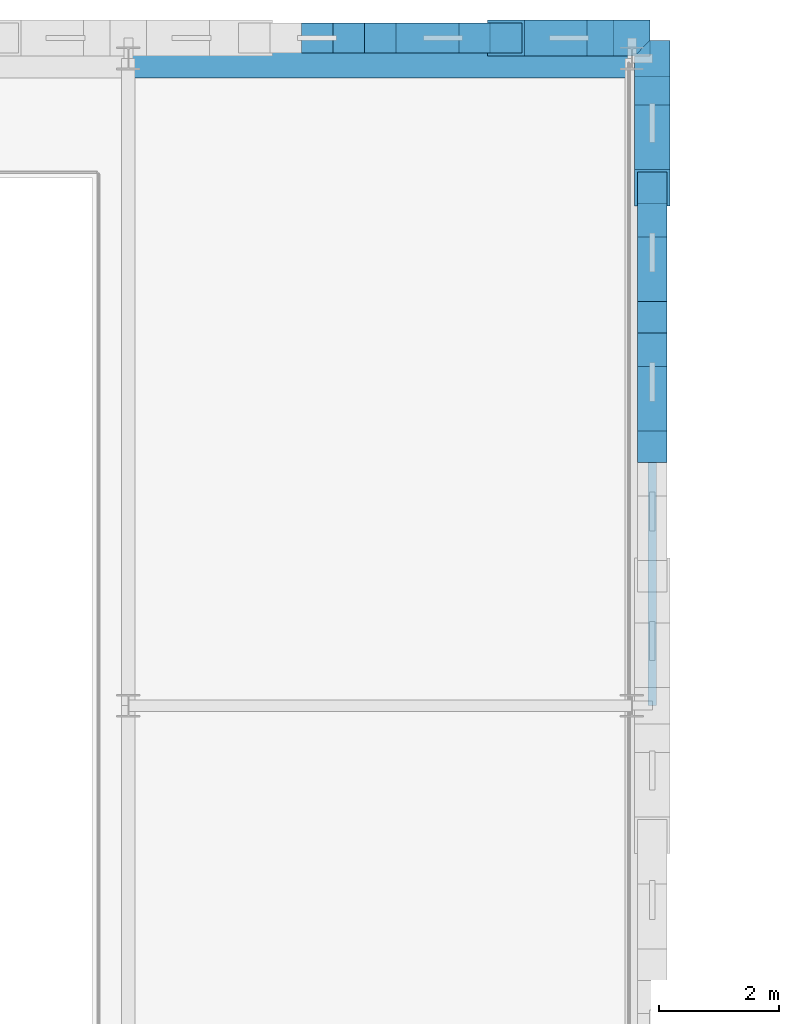
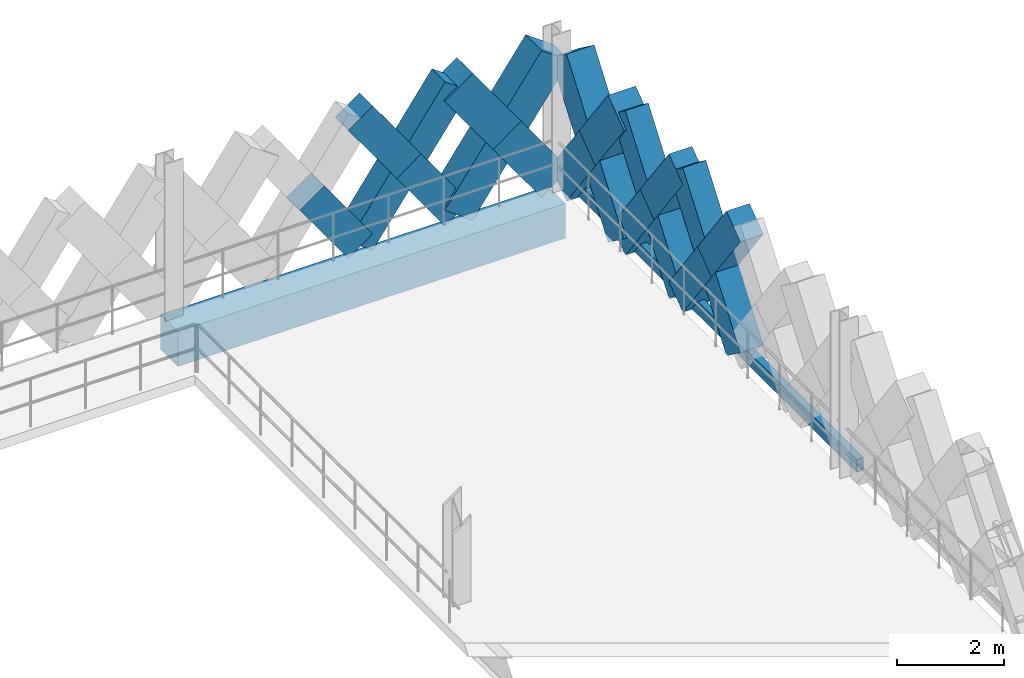
# One storey, part 34 of 79: 17 members, 1 beam.
"""IFC4 building model written with IfcOpenShell, lengths in metres."""

from ifc_helpers import new_model, si_unit, direction, frame, origin, origin_2d, place, context, subcontext, project, spatial, rectangle, hollow_rectangle, extrude, material, material_profile, profile_set, type_object, element, save


model = new_model("IFC4")

# Units and contexts
model_context = context("Model", 3, precision=1e-05, world=origin(), true_north=direction((0.0, 1.0)))
body_context = subcontext(model_context, "Body", "Model", "MODEL_VIEW")
ifc_project = project(units=[si_unit("LENGTHUNIT", "METRE"), si_unit("AREAUNIT", "SQUARE_METRE"), si_unit("VOLUMEUNIT", "CUBIC_METRE"), si_unit("PLANEANGLEUNIT", "RADIAN"), si_unit("MASSUNIT", "GRAM", prefix="KILO"), si_unit("THERMODYNAMICTEMPERATUREUNIT", "KELVIN"), si_unit("POWERUNIT", "WATT")], contexts=[model_context])

# Site, building, storey
site_placement = place(None, origin())
site = spatial("IfcSite", under=ifc_project, at=site_placement, CompositionType="ELEMENT")
building_placement = place(site_placement, origin())
building = spatial("IfcBuilding", under=site, at=building_placement, Name="Tembeka Court Mobility Hub", CompositionType="ELEMENT")
storey_placement = place(building_placement, frame((0.0, 0.0, 9.0)))
storey = spatial("IfcBuildingStorey", under=building, at=storey_placement, Name="L02", CompositionType="ELEMENT", Elevation=9.0)

# Beam
ifc_material_1 = material(Name="Precast concrete C45/55", Category="concrete")
ifc_material_profile_1 = material_profile(ifc_material_1, rectangle(XDim=0.64990234375, YDim=0.800048828125, at=origin_2d()), Name="PC-SP 650x800")
ifc_profile_set_1 = profile_set([ifc_material_profile_1], Name="Precast concrete C45/55")
beam_type = type_object("IfcBeamType", Name="BM-SP01", PredefinedType="SPANDREL", material=ifc_profile_set_1)
beam_placement = place(storey_placement, frame((84.0, 118.800048828125, -0.6201171875), z_axis=(1.0, 0.0, 0.0), x_axis=(0.0, 1.0, 0.0)))
element("IfcBeam", 1, at=beam_placement, inside=storey, type_object=beam_type, Name="Beam SP01 (BM-L02-X1306)", PredefinedType="SPANDREL", context=body_context, shape_type="SweptSolid", body=[
    extrude(rectangle(XDim=0.64990234375, YDim=0.800048828125, at=origin_2d()), origin(), (0.0, 0.0, 1.0), 8.39990234375),
])

# Members
ifc_material_profile_2 = material_profile(ifc_material_1, rectangle(XDim=0.5, YDim=0.64990234375, at=origin_2d()), Name="PC-DIAG 500x650")
ifc_profile_set_2 = profile_set([ifc_material_profile_2], Name="Precast concrete C45/55")
member_type_1 = type_object("IfcMemberType", Name="MEM-DL01", PredefinedType="BRACE", material=ifc_profile_set_2)
member_1_placement = place(storey_placement, frame((88.199951171875, 119.139892578125, 0.02001953125), z_axis=(-0.582544294934, 0.0, 0.812798956963), x_axis=(0.0, -1.0, 0.0)))
element("IfcMember", 2, at=member_1_placement, inside=storey, type_object=member_type_1, Name="Precast diamond lattice split lower strand DL01 (L02-274B1)", PredefinedType="BRACE", context=body_context, shape_type="SweptSolid", body=[
    extrude(rectangle(XDim=0.5, YDim=0.64990234375, at=origin_2d()), origin(), (0.0, 0.0, 1.0), 1.802490234375),
])
member_2_placement = place(storey_placement, frame((88.199951171875, 119.139892578125, 0.02001953125), z_axis=(0.582576362011, 0.0, 0.812775973086), x_axis=(0.0, 1.0, 0.0)))
element("IfcMember", 3, at=member_2_placement, inside=storey, type_object=member_type_1, Name="Precast diamond lattice continuous strand DL01 (L02-275A)", PredefinedType="BRACE", context=body_context, shape_type="SweptSolid", body=[
    extrude(rectangle(XDim=0.5, YDim=0.64990234375, at=origin_2d()), origin(), (0.0, 0.0, 1.0), 3.604736328125),
])
member_3_placement = place(storey_placement, frame((90.300048828125, 119.139892578125, 0.02001953125), z_axis=(-0.582544294934, 0.0, 0.812798956963), x_axis=(0.0, -1.0, 0.0)))
element("IfcMember", 4, at=member_3_placement, inside=storey, type_object=member_type_1, Name="Precast diamond lattice split lower strand DL01 (L02-275B1)", PredefinedType="BRACE", context=body_context, shape_type="SweptSolid", body=[
    extrude(rectangle(XDim=0.5, YDim=0.64990234375, at=origin_2d()), origin(), (0.0, 0.0, 1.0), 1.802490234375),
])
member_4_placement = place(storey_placement, frame((89.25, 119.139892578125, 1.485107421875), z_axis=(-0.582608431711, 0.0, 0.812752985414), x_axis=(0.0, -1.0, 0.0)))
element("IfcMember", 5, at=member_4_placement, inside=storey, type_object=member_type_1, Name="Precast diamond lattice split upper strand DL01 (L02-275B2)", PredefinedType="BRACE", context=body_context, shape_type="SweptSolid", body=[
    extrude(rectangle(XDim=0.5, YDim=0.64990234375, at=origin_2d()), origin(), (0.0, 0.0, 1.0), 1.80224609375),
])
member_5_placement = place(storey_placement, frame((92.739990234375, 112.320068359375, 0.02001953125), z_axis=(0.0, 0.593379766398, 0.804922637792), x_axis=(-1.0, 0.0, 0.0)))
element("IfcMember", 6, at=member_5_placement, inside=storey, type_object=member_type_1, Name="Precast diamond lattice continuous strand DL01 (L02-386C)", PredefinedType="BRACE", context=body_context, shape_type="SweptSolid", body=[
    extrude(rectangle(XDim=0.5, YDim=0.64990234375, at=origin_2d()), origin(), (0.0, 0.0, 1.0), 3.64013671875),
])
member_6_placement = place(storey_placement, frame((92.739990234375, 114.47998046875, 0.02001953125), z_axis=(0.0, -0.593391185876, 0.804914219358), x_axis=(1.0, 0.0, 0.0)))
element("IfcMember", 7, at=member_6_placement, inside=storey, type_object=member_type_1, Name="Precast diamond lattice split lower strand DL01 (L02-386D1)", PredefinedType="BRACE", context=body_context, shape_type="SweptSolid", body=[
    extrude(rectangle(XDim=0.5, YDim=0.64990234375, at=origin_2d()), origin(), (0.0, 0.0, 1.0), 1.820068359375),
])
member_7_placement = place(storey_placement, frame((92.739990234375, 113.39990234375, 1.485107421875), z_axis=(0.0, -0.593368344659, 0.804931057642), x_axis=(1.0, 0.0, 0.0)))
element("IfcMember", 8, at=member_7_placement, inside=storey, type_object=member_type_1, Name="Precast diamond lattice split upper strand DL01 (L02-386D2)", PredefinedType="BRACE", context=body_context, shape_type="SweptSolid", body=[
    extrude(rectangle(XDim=0.5, YDim=0.64990234375, at=origin_2d()), origin(), (0.0, 0.0, 1.0), 1.81982421875),
])
member_8_placement = place(storey_placement, frame((92.739990234375, 114.47998046875, 0.02001953125), z_axis=(0.0, 0.593379766398, 0.804922637792), x_axis=(-1.0, 0.0, 0.0)))
element("IfcMember", 9, at=member_8_placement, inside=storey, type_object=member_type_1, Name="Precast diamond lattice continuous strand DL01 (L02-387C)", PredefinedType="BRACE", context=body_context, shape_type="SweptSolid", body=[
    extrude(rectangle(XDim=0.5, YDim=0.64990234375, at=origin_2d()), origin(), (0.0, 0.0, 1.0), 3.64013671875),
])
for number, where, z_axis, x_axis, name in (
    (10, (92.739990234375, 116.639892578125, 0.02001953125), (0.0, -0.593304274421, 0.804978284151), (1.0, 0.0, 0.0), "Precast diamond lattice split lower strand DL01 (L02-387D1)"),
    (11, (92.739990234375, 115.56005859375, 1.485107421875), (0.0, -0.593455255298, 0.804866982773), (1.0, 0.0, 0.0), "Precast diamond lattice split upper strand DL01 (L02-387D2)"),
):
    element("IfcMember", number, at=place(storey_placement, frame(where, z_axis=z_axis, x_axis=x_axis)), inside=storey, type_object=member_type_1, Name=name, PredefinedType="BRACE", context=body_context, shape_type="SweptSolid", body=[
        extrude(rectangle(XDim=0.5, YDim=0.64990234375, at=origin_2d()), origin(), (0.0, 0.0, 1.0), 1.820068359375),
    ])
ifc_material_profile_3 = material_profile(ifc_material_1, rectangle(XDim=0.60009765625, YDim=0.75, at=origin_2d()), Name="PC-DIAG 600x750")
ifc_profile_set_3 = profile_set([ifc_material_profile_3], Name="Precast concrete C45/55")
member_type_2 = type_object("IfcMemberType", Name="MEM-DL02", PredefinedType="BRACE", material=ifc_profile_set_3)
member_9_placement = place(storey_placement, frame((90.300048828125, 119.139892578125, 0.02001953125), z_axis=(0.58253161945, 0.0, 0.812808041509), x_axis=(0.0, 1.0, 0.0)))
element("IfcMember", 12, at=member_9_placement, inside=storey, type_object=member_type_2, Name="Precast diamond lattice continuous strand DL02 (L02-276A)", PredefinedType="BRACE", context=body_context, shape_type="SweptSolid", body=[
    extrude(rectangle(XDim=0.60009765625, YDim=0.75, at=origin_2d()), origin(), (0.0, 0.0, 1.0), 3.604736328125),
])
member_10_placement = place(storey_placement, frame((92.39990234375, 119.139892578125, 0.02001953125), z_axis=(-0.582454804382, 0.0, 0.812863088627), x_axis=(0.0, -1.0, 0.0)))
element("IfcMember", 13, at=member_10_placement, inside=storey, type_object=member_type_2, Name="Precast diamond lattice split lower strand DL02 (L02-276B1)", PredefinedType="BRACE", context=body_context, shape_type="SweptSolid", body=[
    extrude(rectangle(XDim=0.60009765625, YDim=0.75, at=origin_2d()), origin(), (0.0, 0.0, 1.0), 1.802490234375),
])
member_11_placement = place(storey_placement, frame((91.35009765625, 119.139892578125, 1.485107421875), z_axis=(-0.582608431711, 0.0, 0.812752985414), x_axis=(0.0, -1.0, 0.0)))
element("IfcMember", 14, at=member_11_placement, inside=storey, type_object=member_type_2, Name="Precast diamond lattice split upper strand DL02 (L02-276B2)", PredefinedType="BRACE", context=body_context, shape_type="SweptSolid", body=[
    extrude(rectangle(XDim=0.60009765625, YDim=0.75, at=origin_2d()), origin(), (0.0, 0.0, 1.0), 1.80224609375),
])
member_12_placement = place(storey_placement, frame((92.739990234375, 116.639892578125, 0.02001953125), z_axis=(0.0, 0.593423219328, 0.804890602978), x_axis=(-1.0, 0.0, 0.0)))
element("IfcMember", 15, at=member_12_placement, inside=storey, type_object=member_type_2, Name="Precast diamond lattice continuous strand DL02 (L02-388C)", PredefinedType="BRACE", context=body_context, shape_type="SweptSolid", body=[
    extrude(rectangle(XDim=0.60009765625, YDim=0.75, at=origin_2d()), origin(), (0.0, 0.0, 1.0), 3.64013671875),
])
for number, where, z_axis, x_axis, name in (
    (16, (92.739990234375, 118.800048828125, 0.02001953125), (0.0, -0.593391185876, 0.804914219358), (1.0, 0.0, 0.0), "Precast diamond lattice split lower strand DL02 (L02-388D1)"),
    (17, (92.739990234375, 117.719970703125, 1.485107421875), (0.0, -0.593455255298, 0.804866982773), (1.0, 0.0, 0.0), "Precast diamond lattice split upper strand DL02 (L02-388D2)"),
):
    element("IfcMember", number, at=place(storey_placement, frame(where, z_axis=z_axis, x_axis=x_axis)), inside=storey, type_object=member_type_2, Name=name, PredefinedType="BRACE", context=body_context, shape_type="SweptSolid", body=[
        extrude(rectangle(XDim=0.60009765625, YDim=0.75, at=origin_2d()), origin(), (0.0, 0.0, 1.0), 1.820068359375),
    ])
ifc_material_2 = material(Name="Steel S355", Category="steel")
ifc_material_profile_4 = material_profile(ifc_material_2, hollow_rectangle(XDim=0.14990234375, YDim=0.300048828125, WallThickness=0.010009765625, at=origin_2d()), Name="RHS 300x150x10")
ifc_profile_set_4 = profile_set([ifc_material_profile_4], Name="Steel S355")
member_type_3 = type_object("IfcMemberType", Name="MEM-ST03", PredefinedType="STRUT", material=ifc_profile_set_4)
member_13_placement = place(storey_placement, frame((92.739990234375, 108.0, 0.02001953125), z_axis=(0.0, 1.0, 0.0), x_axis=(-1.0, 0.0, 0.0)))
element("IfcMember", 18, at=member_13_placement, inside=storey, type_object=member_type_3, Name="Proud lattice sill tie chord SR03 (L02-E-108)", PredefinedType="STRUT", context=body_context, shape_type="SweptSolid", body=[
    extrude(hollow_rectangle(XDim=0.14990234375, YDim=0.300048828125, WallThickness=0.010009765625, at=origin_2d()), origin(), (0.0, 0.0, 1.0), 10.800048828125),
])

save(model, "model.ifc")
